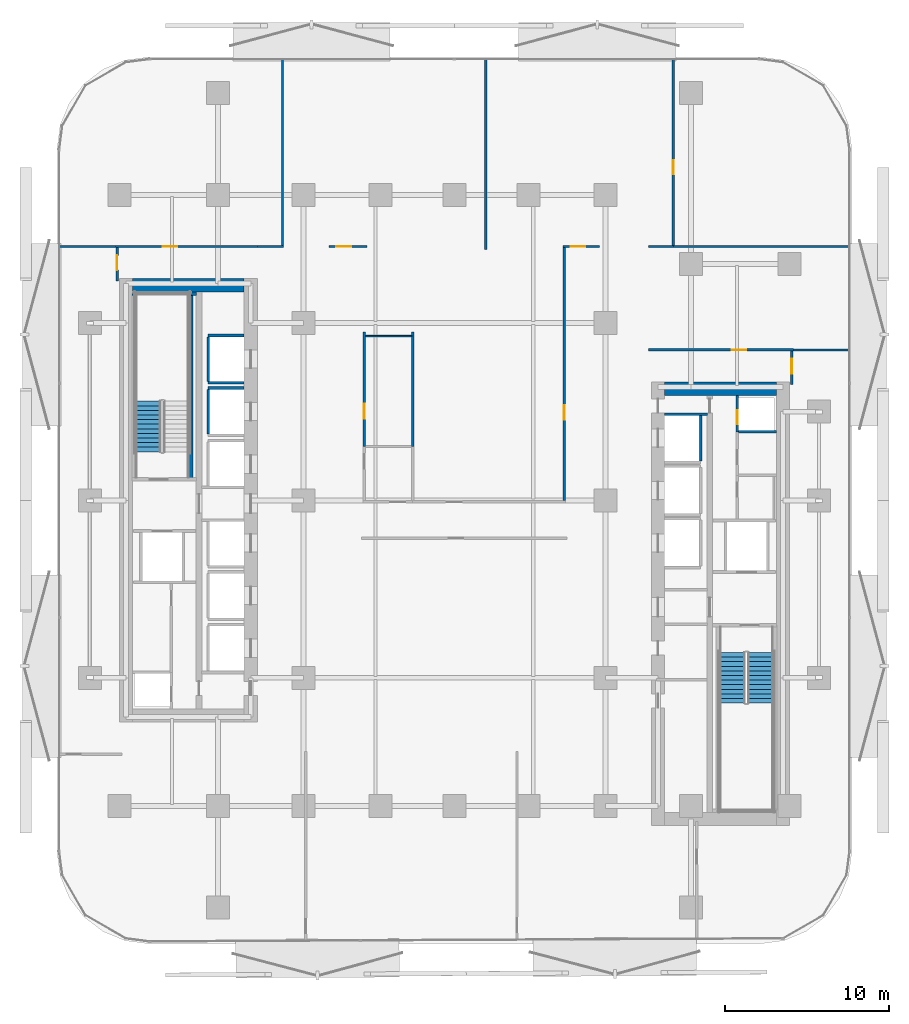
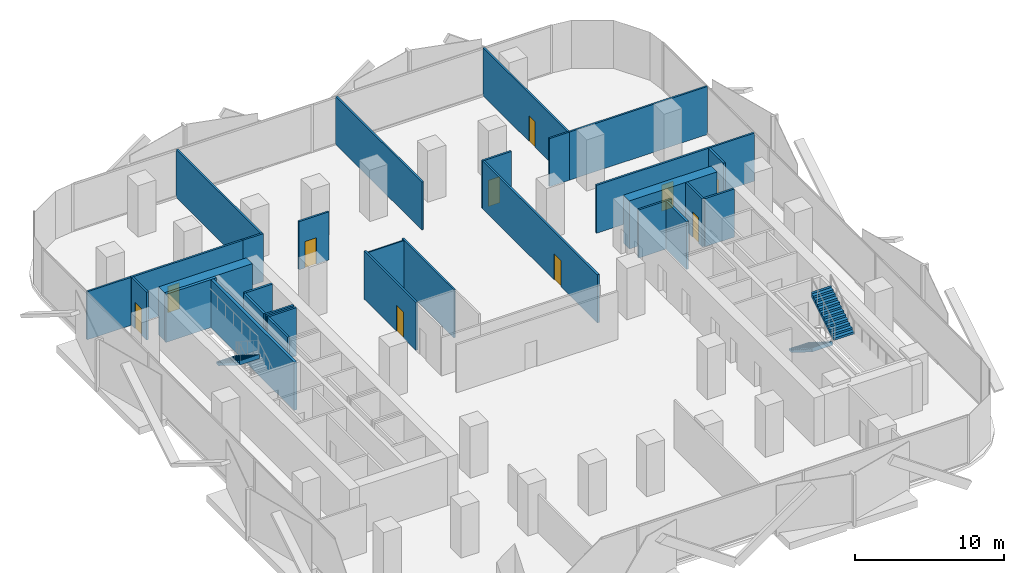
# One storey, part 5 of 15: 31 walls, 10 doors, 3 stair flights, 10 openings, 2 elements without a shape of their own.
"""IFC4 building model written with IfcOpenShell, lengths in metres."""

import ifcopenshell
import ifcopenshell.guid

model = None  # the IFC model being written
_history = None  # IfcOwnerHistory: only IFC2X3 demands one
_inside = {}  # id of a spatial element -> (the spatial element, [elements in it])
_under = {}  # id of a project, library or spatial element -> (it, [spatial elements below it])
_declared = {}  # id of a project -> (the project, [libraries it declares])
_typed = {}  # id of a type object -> (the type object, [elements of that type])
_made_of = {}  # id of a material, layer set ... -> (it, [elements and type objects made of it])


def new_model(schema):
    """Start an empty IFC model of exactly this schema.

    Asked for "IFC4X3", IfcOpenShell would pick the latest addendum, in which some entities
    have other attributes; the version numbers below select the first issue.
    IFC2X3 requires an IfcOwnerHistory on every rooted entity: one is made here for all.
    """
    global model, _history
    if schema == "IFC4X3":
        model = ifcopenshell.file(schema_version=(4, 3, 0, 0))
    else:
        model = ifcopenshell.file(schema=schema)
    _inside.clear()
    _under.clear()
    _declared.clear()
    _typed.clear()
    _made_of.clear()
    _history = None
    if model.schema == "IFC2X3":
        org = make("IfcOrganization", Name="unknown")
        user = make(
            "IfcPersonAndOrganization",
            ThePerson=make("IfcPerson", FamilyName="unknown"),
            TheOrganization=org,
        )
        app = make(
            "IfcApplication",
            ApplicationDeveloper=org,
            Version="unknown",
            ApplicationFullName="unknown",
            ApplicationIdentifier="unknown",
        )
        _history = make(
            "IfcOwnerHistory",
            OwningUser=user,
            OwningApplication=app,
            ChangeAction="ADDED",
            CreationDate=0,
        )
    return model


def make(cls, **values):
    """One entity of the class cls with the attributes given. An attribute that is None is left unset."""
    return model.create_entity(
        cls, **{name: value for name, value in values.items() if value is not None}
    )


def rooted(cls, **values):
    """An entity with a GlobalId (a new one), such as an element, a storey or a relation."""
    return make(cls, GlobalId=ifcopenshell.guid.new(), OwnerHistory=_history, **values)


def si_unit(unit_type, name, prefix=None):
    """IfcSIUnit, for example si_unit("LENGTHUNIT", "METRE", prefix="MILLI")."""
    return make("IfcSIUnit", UnitType=unit_type, Prefix=prefix, Name=name)


def assignment(units):
    """IfcUnitAssignment: the units of a project."""
    return None if units is None else make("IfcUnitAssignment", Units=units)


def point(xyz):
    """IfcCartesianPoint."""
    return None if xyz is None else make("IfcCartesianPoint", Coordinates=xyz)


def direction(xyz):
    """IfcDirection."""
    return None if xyz is None else make("IfcDirection", DirectionRatios=xyz)


def frame(location, z_axis=None, x_axis=None):
    """IfcAxis2Placement3D, a coordinate frame: its origin and axes. An axis left out is left unset."""
    return make(
        "IfcAxis2Placement3D",
        Location=point(location),
        Axis=direction(z_axis),
        RefDirection=direction(x_axis),
    )


def frame_2d(location, x_axis=None):
    """IfcAxis2Placement2D, a coordinate frame in the plane: its origin and x axis."""
    return make(
        "IfcAxis2Placement2D", Location=point(location), RefDirection=direction(x_axis)
    )


def origin():
    """The frame at (0, 0, 0) with its axes left unset."""
    return frame((0.0, 0.0, 0.0))


def place(relative_to, where):
    """IfcLocalPlacement: puts the frame where relative to a parent placement (None: the world)."""
    return make(
        "IfcLocalPlacement", PlacementRelTo=relative_to, RelativePlacement=where
    )


def context(
    kind, dimensions, precision=None, world=None, true_north=None, identifier=None
):
    """IfcGeometricRepresentationContext, for example the 3D "Model" context."""
    return make(
        "IfcGeometricRepresentationContext",
        ContextIdentifier=identifier,
        ContextType=kind,
        CoordinateSpaceDimension=dimensions,
        Precision=precision,
        WorldCoordinateSystem=world,
        TrueNorth=true_north,
    )


def subcontext(parent, identifier, kind, view, scale=None):
    """IfcGeometricRepresentationSubContext, for example "Body" below "Model"."""
    return make(
        "IfcGeometricRepresentationSubContext",
        ContextIdentifier=identifier,
        ContextType=kind,
        ParentContext=parent,
        TargetScale=scale,
        TargetView=view,
    )


def project(units=None, contexts=None):
    """IfcProject with its units and contexts."""
    return rooted(
        "IfcProject",
        Name="project",
        RepresentationContexts=contexts,
        UnitsInContext=assignment(units),
    )


def spatial(cls, under=None, at=None, **own):
    """A site, building, storey or space (cls), placed at a placement, below another one or the project."""
    s = rooted(cls, ObjectPlacement=at, **own)
    if under is not None:
        _under.setdefault(under.id(), (under, []))[1].append(s)
    return s


def polyline(points):
    """IfcPolyline through the points."""
    return make("IfcPolyline", Points=[point(p) for p in points])


def profile(cls, at=None, kind="AREA", **sizes):
    """A parametric profile (cls). Its sizes go by their IFC names, for example OverallWidth=200.0."""
    return make(cls, ProfileType=kind, Position=at, **sizes)


def rectangle(**sizes):
    """IfcRectangleProfileDef."""
    return profile("IfcRectangleProfileDef", **sizes)


def outline(outer, holes=None, kind="AREA"):
    """IfcArbitraryClosedProfileDef: a profile drawn as a closed curve; with holes, ...WithVoids."""
    if holes is None:
        return make("IfcArbitraryClosedProfileDef", ProfileType=kind, OuterCurve=outer)
    return make(
        "IfcArbitraryProfileDefWithVoids",
        ProfileType=kind,
        OuterCurve=outer,
        InnerCurves=holes,
    )


def extrude(swept, where, along, depth):
    """IfcExtrudedAreaSolid: the profile swept, set in the frame where, extruded along a direction by depth."""
    return make(
        "IfcExtrudedAreaSolid",
        SweptArea=swept,
        Position=where,
        ExtrudedDirection=direction(along),
        Depth=depth,
    )


def shape(context_of_items, identifier, shape_type, items):
    """IfcShapeRepresentation: the items that make up one representation, for example the "Body"."""
    return make(
        "IfcShapeRepresentation",
        ContextOfItems=context_of_items,
        RepresentationIdentifier=identifier,
        RepresentationType=shape_type,
        Items=items,
    )


def material(Name=None, Category=None):
    """IfcMaterial."""
    return make("IfcMaterial", Name=Name, Category=Category)


def layer(
    of_material, thickness, ventilated=None, Name=None, Category=None, Priority=None
):
    """IfcMaterialLayer: one layer of a wall or slab, of a material (None: an air gap)."""
    return make(
        "IfcMaterialLayer",
        Material=of_material,
        LayerThickness=thickness,
        IsVentilated=ventilated,
        Name=Name,
        Category=Category,
        Priority=Priority,
    )


def layer_set(layers, Name=None):
    """IfcMaterialLayerSet."""
    return make("IfcMaterialLayerSet", MaterialLayers=layers, LayerSetName=Name)


def made_of(thing, what):
    """Note that an element or type object is made of a material, layer set ...; save() writes the relation."""
    if what is not None:
        _made_of.setdefault(what.id(), (what, []))[1].append(thing)
    return thing


def type_object(cls, material=None, **own):
    """A type object (cls), such as IfcWallType, which elements share."""
    return made_of(rooted(cls, **own), material)


def element(
    cls,
    number,
    at=None,
    inside=None,
    cuts=None,
    type_object=None,
    material=None,
    context=None,
    identifier="Body",
    shape_type=None,
    held_by="IfcProductDefinitionShape",
    body=None,
    shapes=None,
    **own,
):
    """One element of the class cls, such as IfcWall. Its Tag is "e" and its number.

    at: its placement. inside: the storey or other place that contains it. cuts: it is an
    opening in that element (IfcRelVoidsElement). A single representation is given by context,
    identifier, shape_type and body (its items); several are given by shapes. held_by: the class
    of the entity that holds the representations. save() writes the other relations.
    """
    e = rooted(cls, Tag="e%d" % number, ObjectPlacement=at, **own)
    if body is not None:
        shapes = [shape(context, identifier, shape_type, body)]
    if shapes is not None:
        e.Representation = make(held_by, Representations=shapes)
    if inside is not None:
        _inside.setdefault(inside.id(), (inside, []))[1].append(e)
    if cuts is not None:
        rooted(
            "IfcRelVoidsElement", RelatingBuildingElement=cuts, RelatedOpeningElement=e
        )
    if type_object is not None:
        _typed.setdefault(type_object.id(), (type_object, []))[1].append(e)
    return made_of(e, material)


def fill(opening, filler):
    """IfcRelFillsElement: the door or window that sits in an opening."""
    return rooted(
        "IfcRelFillsElement",
        RelatingOpeningElement=opening,
        RelatedBuildingElement=filler,
    )


def aggregate(whole, parts):
    """IfcRelAggregates: a whole, such as a stair, and the parts it consists of."""
    return rooted("IfcRelAggregates", RelatingObject=whole, RelatedObjects=parts)


def save(model, path):
    """Write the relations noted so far, then the file.

    IfcRelAggregates (storeys below a building ...), IfcRelContainedInSpatialStructure (elements
    in a storey), IfcRelDefinesByType, IfcRelAssociatesMaterial and IfcRelDeclares: one each for
    every whole, place, type object, material and project.
    """
    for whole, parts in _under.values():
        aggregate(whole, parts)
    for where, things in _inside.values():
        rooted(
            "IfcRelContainedInSpatialStructure",
            RelatedElements=things,
            RelatingStructure=where,
        )
    for kind, things in _typed.values():
        rooted("IfcRelDefinesByType", RelatedObjects=things, RelatingType=kind)
    for what, things in _made_of.values():
        rooted("IfcRelAssociatesMaterial", RelatedObjects=things, RelatingMaterial=what)
    for by, libraries in _declared.values():
        rooted("IfcRelDeclares", RelatingContext=by, RelatedDefinitions=libraries)
    model.write(path)


model = new_model("IFC4")

# Units and contexts
model_context = context("Model", 3, precision=1e-05, world=origin(), true_north=direction((0.0, 1.0)))
body_context = subcontext(model_context, "Body", "Model", "MODEL_VIEW")
ifc_project = project(units=[si_unit("LENGTHUNIT", "METRE"), si_unit("AREAUNIT", "SQUARE_METRE"), si_unit("VOLUMEUNIT", "CUBIC_METRE"), si_unit("PLANEANGLEUNIT", "RADIAN"), si_unit("MASSUNIT", "GRAM", prefix="KILO")], contexts=[model_context])

# Site, building, storey
site_placement = place(None, origin())
site = spatial("IfcSite", under=ifc_project, at=site_placement, CompositionType="ELEMENT")
building_placement = place(site_placement, origin())
building = spatial("IfcBuilding", under=site, at=building_placement, Name="Khairoan Windgate Tower", CompositionType="ELEMENT")
storey_placement = place(building_placement, frame((0.0, 0.0, 51.199951171875)))
storey = spatial("IfcBuildingStorey", under=building, at=storey_placement, Name="L12", CompositionType="ELEMENT", Elevation=51.199951171875)

# Walls
ifc_material_1 = material(Name="Moisture-Resistant Gypsum Partition", Category="gypsum")
ifc_layer_1 = layer(ifc_material_1, 0.10009765625, Name="Moisture-Resistant Gypsum Partition")
ifc_layer_set_1 = layer_set([ifc_layer_1], Name="Moisture-Resistant Gypsum Partition")
wall_type_1 = type_object("IfcWallType", Name="Bathroom Wet-Area Partition Wall", PredefinedType="PARTITIONING", material=ifc_layer_set_1)
wall_1_placement = place(storey_placement, frame((-5.409912109375, 10.0, 0.0), z_axis=(0.0, 0.0, 1.0), x_axis=(1.0, 0.0, 0.0)))
element("IfcWall", 1, at=wall_1_placement, inside=storey, type_object=wall_type_1, Name="L12 Wet Room Side Wall 038", PredefinedType="PARTITIONING", context=body_context, shape_type="SweptSolid", body=[
    extrude(rectangle(XDim=2.7998046875, YDim=0.10009765625, at=frame_2d((1.39990234375, 0.0))), origin(), (0.0, 0.0, 1.0), 3.93994140625),
])
ifc_material_2 = material(Name="Concrete C40/50", Category="concrete")
ifc_layer_2 = layer(ifc_material_2, 0.159912109375, Name="Concrete C40/50")
ifc_layer_set_2 = layer_set([ifc_layer_2], Name="Concrete C40/50")
wall_type_2 = type_object("IfcWallType", Name="Core and Hoistway Enclosure Wall", PredefinedType="STANDARD", material=ifc_layer_set_2)
for number, where, z_axis, x_axis, name in (
    (2, (-14.989990234375, 7.159912109375, 0.0), (0.0, 0.0, 1.0), (1.0, 0.0, 0.0), "L12 Lift PL1 Hoistway Divider S"),
    (3, (-14.989990234375, 10.0400390625, 0.0), (0.0, 0.0, 1.0), (1.0, 0.0, 0.0), "L12 Lift PL1 Hoistway Divider N"),
):
    element("IfcWall", number, at=place(storey_placement, frame(where, z_axis=z_axis, x_axis=x_axis)), inside=storey, type_object=wall_type_2, Name=name, PredefinedType="STANDARD", context=body_context, shape_type="SweptSolid", body=[
        extrude(rectangle(XDim=2.18994140625, YDim=0.159912109375, at=frame_2d((1.094970703125, 0.0))), origin(), (0.0, 0.0, 1.0), 3.93994140625),
    ])
wall_2_placement = place(storey_placement, frame((-14.989990234375, 7.25, 0.0), z_axis=(0.0, 0.0, 1.0), x_axis=(0.0, 1.0, 0.0)))
element("IfcWall", 4, at=wall_2_placement, inside=storey, type_object=wall_type_2, Name="L12 Lift PL1 Hoistway Back Wall", PredefinedType="STANDARD", context=body_context, shape_type="SweptSolid", body=[
    extrude(rectangle(XDim=2.699951171875, YDim=0.159912109375, at=frame_2d((1.35009765625, 0.0))), origin(), (0.0, 0.0, 1.0), 3.93994140625),
])
wall_3_placement = place(storey_placement, frame((-14.989990234375, 6.840087890625, 0.0), z_axis=(0.0, 0.0, 1.0), x_axis=(1.0, 0.0, 0.0)))
element("IfcWall", 5, at=wall_3_placement, inside=storey, type_object=wall_type_2, Name="L12 Lift PL2 Hoistway Divider N", PredefinedType="STANDARD", context=body_context, shape_type="SweptSolid", body=[
    extrude(rectangle(XDim=2.18994140625, YDim=0.159912109375, at=frame_2d((1.094970703125, 0.0))), origin(), (0.0, 0.0, 1.0), 3.93994140625),
])
wall_4_placement = place(storey_placement, frame((-14.989990234375, 4.050048828125, 0.0), z_axis=(0.0, 0.0, 1.0), x_axis=(0.0, 1.0, 0.0)))
element("IfcWall", 6, at=wall_4_placement, inside=storey, type_object=wall_type_2, Name="L12 Lift PL2 Hoistway Back Wall", PredefinedType="STANDARD", context=body_context, shape_type="SweptSolid", body=[
    extrude(rectangle(XDim=2.699951171875, YDim=0.159912109375, at=frame_2d((1.35009765625, 0.0))), origin(), (0.0, 0.0, 1.0), 3.93994140625),
])
wall_5_placement = place(storey_placement, frame((14.989990234375, 2.39990234375, 0.0), z_axis=(0.0, 0.0, 1.0), x_axis=(0.0, 1.0, 0.0)))
element("IfcWall", 7, at=wall_5_placement, inside=storey, type_object=wall_type_2, Name="L12 Lift PL7 Hoistway Back Wall", PredefinedType="STANDARD", context=body_context, shape_type="SweptSolid", body=[
    extrude(rectangle(XDim=2.800048828125, YDim=0.159912109375, at=frame_2d((1.39990234375, 0.0))), origin(), (0.0, 0.0, 1.0), 3.93994140625),
])
wall_6_placement = place(storey_placement, frame((12.800048828125, 5.25, 0.0), z_axis=(0.0, 0.0, 1.0), x_axis=(1.0, 0.0, 0.0)))
element("IfcWall", 8, at=wall_6_placement, inside=storey, type_object=wall_type_2, Name="L12 Core Shaft Wall SW-ESV-L12", PredefinedType="STANDARD", context=body_context, shape_type="SweptSolid", body=[
    extrude(rectangle(XDim=2.599853515625, YDim=0.159912109375, at=frame_2d((1.2998046875, 0.0))), origin(), (0.0, 0.0, 1.0), 3.93994140625),
])
ifc_material_3 = material(Name="Acoustic Fire-Rated Gypsum Partition", Category="gypsum")
ifc_layer_3 = layer(ifc_material_3, 0.139892578125, Name="Acoustic Fire-Rated Gypsum Partition")
ifc_layer_set_3 = layer_set([ifc_layer_3], Name="Acoustic Fire-Rated Gypsum Partition")
wall_type_3 = type_object("IfcWallType", Name="Inter-Tenancy Compartment Wall", PredefinedType="PARTITIONING", material=ifc_layer_set_3)
for number, where, z_axis, x_axis, name in (
    (9, (-24.054931640625, 15.4599609375, 0.0), (0.0, 0.0, 1.0), (1.0, 0.0, 0.0), "L12 Interior Partition 023"),
    (10, (20.639892578125, 9.159912109375, 0.0), (0.0, 0.0, 1.0), (1.0, 0.0, 0.0), "L12 Interior Partition 025"),
):
    element("IfcWall", number, at=place(storey_placement, frame(where, z_axis=z_axis, x_axis=x_axis)), inside=storey, type_object=wall_type_3, Name=name, PredefinedType="PARTITIONING", context=body_context, shape_type="SweptSolid", body=[
        extrude(rectangle(XDim=3.4150390625, YDim=0.139892578125, at=frame_2d((1.70751953125, 0.0))), origin(), (0.0, 0.0, 1.0), 3.93994140625),
    ])
wall_7_placement = place(storey_placement, frame((11.81005859375, 15.4599609375, 0.0), z_axis=(0.0, 0.0, 1.0), x_axis=(1.0, 0.0, 0.0)))
element("IfcWall", 11, at=wall_7_placement, inside=storey, type_object=wall_type_3, Name="L12 Interior Partition 026", PredefinedType="PARTITIONING", context=body_context, shape_type="SweptSolid", body=[
    extrude(rectangle(XDim=1.517822265625, YDim=0.139892578125, at=frame_2d((0.7587890625, 0.0))), origin(), (0.0, 0.0, 1.0), 3.93994140625),
])
wall_8_placement = place(storey_placement, frame((13.327880859375, 15.4599609375, 0.0), z_axis=(0.0, 0.0, 1.0), x_axis=(1.0, 0.0, 0.0)))
element("IfcWall", 12, at=wall_8_placement, inside=storey, type_object=wall_type_3, Name="L12 Interior Partition 027", PredefinedType="PARTITIONING", context=body_context, shape_type="SweptSolid", body=[
    extrude(rectangle(XDim=10.72705078125, YDim=0.139892578125, at=frame_2d((5.363525390625, 0.0))), origin(), (0.0, 0.0, 1.0), 3.93994140625),
])
wall_9_placement = place(storey_placement, frame((-10.471923828125, 15.534912109375, 0.0), z_axis=(0.0, 0.0, 1.0), x_axis=(0.0, 1.0, 0.0)))
element("IfcWall", 13, at=wall_9_placement, inside=storey, type_object=wall_type_3, Name="L12 Interior Partition 028", PredefinedType="PARTITIONING", context=body_context, shape_type="SweptSolid", body=[
    extrude(rectangle(XDim=11.320068359375, YDim=0.139892578125, at=frame_2d((5.66015625, 0.0))), origin(), (0.0, 0.0, 1.0), 3.93994140625),
])
wall_10_placement = place(storey_placement, frame((1.904052734375, 15.280029296875, 0.0), z_axis=(0.0, 0.0, 1.0), x_axis=(0.0, 1.0, 0.0)))
element("IfcWall", 14, at=wall_10_placement, inside=storey, type_object=wall_type_3, Name="L12 Interior Partition 029", PredefinedType="PARTITIONING", context=body_context, shape_type="SweptSolid", body=[
    extrude(rectangle(XDim=11.574951171875, YDim=0.139892578125, at=frame_2d((5.78759765625, 0.0))), origin(), (0.0, 0.0, 1.0), 3.93994140625),
])

# Wall, opening, door
wall_11_placement = place(storey_placement, frame((13.327880859375, 15.530029296875, 0.0), z_axis=(0.0, 0.0, 1.0), x_axis=(0.0, 1.0, 0.0)))
wall_11 = element("IfcWall", 15, at=wall_11_placement, inside=storey, type_object=wall_type_3, Name="L12 Interior Partition 030", PredefinedType="PARTITIONING", context=body_context, shape_type="SweptSolid", body=[
    extrude(rectangle(XDim=11.324951171875, YDim=0.139892578125, at=frame_2d((5.66259765625, 0.0))), origin(), (0.0, 0.0, 1.0), 3.93994140625),
])
opening_1_placement = place(wall_11_placement, frame((4.32275390625, 0.0, 0.0)))
opening_1 = element("IfcOpeningElement", 16, at=opening_1_placement, cuts=wall_11, Name="Opening FD-SRV", PredefinedType="OPENING", context=body_context, shape_type="SweptSolid", body=[
    extrude(rectangle(XDim=0.85009765625, YDim=2.10009765625, at=frame_2d((0.425048828125, 1.050048828125))), frame((0.0, 0.079833984375, 0.0), z_axis=(0.0, -1.0, 0.0), x_axis=(1.0, 0.0, 0.0)), (0.0, 0.0, 1.0), 0.159912109375),
])
ifc_material_4 = material(Name="Steel S355", Category="steel")
door_type_1 = type_object("IfcDoorType", Name="Core Service and Riser Fire Door FD-SRV 850x2100", OperationType="NOTDEFINED", PredefinedType="DOOR", material=ifc_material_4)
door_1_placement = place(opening_1_placement, origin())
door_1 = element("IfcDoor", 17, at=door_1_placement, inside=storey, type_object=door_type_1, Name="L12 L12-41-L12-42 Door", OperationType="SINGLE_SWING_RIGHT", OverallHeight=2.10009765625, OverallWidth=0.85009765625, PredefinedType="DOOR", context=body_context, shape_type="SweptSolid", body=[
    extrude(rectangle(XDim=0.85009765625, YDim=2.10009765625, at=frame_2d((0.425048828125, 1.050048828125))), frame((0.0, 0.02490234375, 0.0), z_axis=(0.0, -1.0, 0.0), x_axis=(1.0, 0.0, 0.0)), (0.0, 0.0, 1.0), 0.050048828125),
])
fill(opening_1, door_1)

# Wall
wall_12_placement = place(storey_placement, frame((-2.5400390625, 3.280029296875, 0.0), z_axis=(0.0, 0.0, 1.0), x_axis=(0.0, 1.0, 0.0)))
element("IfcWall", 18, at=wall_12_placement, inside=storey, type_object=wall_type_3, Name="L12 Interior Partition 036", PredefinedType="PARTITIONING", context=body_context, shape_type="SweptSolid", body=[
    extrude(rectangle(XDim=6.9599609375, YDim=0.139892578125, at=frame_2d((3.47998046875, 0.0))), origin(), (0.0, 0.0, 1.0), 3.93994140625),
])

# Wall, opening, door
ifc_material_5 = material(Name="Concrete C40/50", Category="concrete")
ifc_layer_4 = layer(ifc_material_5, 0.159912109375, Name="Concrete C40/50")
ifc_layer_set_4 = layer_set([ifc_layer_4], Name="Concrete C40/50")
wall_type_4 = type_object("IfcWallType", Name="Plant and Refuge Compartment Wall", PredefinedType="PARTITIONING", material=ifc_layer_set_4)
wall_13_placement = place(storey_placement, frame((17.22998046875, 4.169921875, 0.0), z_axis=(0.0, 0.0, 1.0), x_axis=(0.0, 1.0, 0.0)))
wall_13 = element("IfcWall", 19, at=wall_13_placement, inside=storey, type_object=wall_type_4, Name="L12 Interior Partition 004", PredefinedType="PARTITIONING", context=body_context, shape_type="SweptSolid", body=[
    extrude(rectangle(XDim=2.22998046875, YDim=0.159912109375, at=frame_2d((1.114990234375, 0.0))), origin(), (0.0, 0.0, 1.0), 3.93994140625),
])
opening_2_placement = place(wall_13_placement, frame((0.4599609375, 0.0, 0.0)))
opening_2 = element("IfcOpeningElement", 20, at=opening_2_placement, cuts=wall_13, Name="Opening FD-SRV", PredefinedType="OPENING", context=body_context, shape_type="SweptSolid", body=[
    extrude(rectangle(XDim=0.85009765625, YDim=2.10009765625, at=frame_2d((0.425048828125, 1.050048828125))), frame((0.0, 0.08984375, 0.0), z_axis=(0.0, -1.0, 0.0), x_axis=(1.0, 0.0, 0.0)), (0.0, 0.0, 1.0), 0.179931640625),
])
door_2_placement = place(opening_2_placement, origin())
door_2 = element("IfcDoor", 21, at=door_2_placement, inside=storey, type_object=door_type_1, Name="L12 L12-18-L12-19 Door", OperationType="SINGLE_SWING_RIGHT", OverallHeight=2.10009765625, OverallWidth=0.85009765625, PredefinedType="DOOR", context=body_context, shape_type="SweptSolid", body=[
    extrude(rectangle(XDim=0.85009765625, YDim=2.10009765625, at=frame_2d((0.425048828125, 1.050048828125))), frame((0.0, 0.02490234375, 0.0), z_axis=(0.0, -1.0, 0.0), x_axis=(1.0, 0.0, 0.0)), (0.0, 0.0, 1.0), 0.050048828125),
])
fill(opening_2, door_2)

# Walls
wall_14_placement = place(storey_placement, frame((17.31005859375, 4.169921875, 0.0), z_axis=(0.0, 0.0, 1.0), x_axis=(1.0, 0.0, 0.0)))
element("IfcWall", 22, at=wall_14_placement, inside=storey, type_object=wall_type_4, Name="L12 Interior Partition 007", PredefinedType="PARTITIONING", context=body_context, shape_type="SweptSolid", body=[
    extrude(rectangle(XDim=2.2900390625, YDim=0.159912109375, at=frame_2d((1.14501953125, 0.0))), origin(), (0.0, 0.0, 1.0), 3.93994140625),
])
ifc_material_6 = material(Name="Acoustic Fire-Rated Gypsum Partition", Category="gypsum")
ifc_layer_5 = layer(ifc_material_6, 0.14990234375, Name="Acoustic Fire-Rated Gypsum Partition")
ifc_layer_set_5 = layer_set([ifc_layer_5], Name="Acoustic Fire-Rated Gypsum Partition")
wall_type_5 = type_object("IfcWallType", Name="Rated Corridor Partition Wall", PredefinedType="PARTITIONING", material=ifc_layer_set_5)
wall_15_placement = place(storey_placement, frame((-11.989990234375, 15.4599609375, 0.0), z_axis=(0.0, 0.0, 1.0), x_axis=(1.0, 0.0, 0.0)))
element("IfcWall", 23, at=wall_15_placement, inside=storey, type_object=wall_type_5, Name="L12 Interior Partition 010", PredefinedType="PARTITIONING", context=body_context, shape_type="SweptSolid", body=[
    extrude(rectangle(XDim=1.587890625, YDim=0.14990234375, at=frame_2d((0.7939453125, 0.0))), origin(), (0.0, 0.0, 1.0), 3.93994140625),
])

# Wall, opening, door
wall_16_placement = place(storey_placement, frame((-7.639892578125, 15.4599609375, 0.0), z_axis=(0.0, 0.0, 1.0), x_axis=(1.0, 0.0, 0.0)))
wall_16 = element("IfcWall", 24, at=wall_16_placement, inside=storey, type_object=wall_type_5, Name="L12 Interior Partition 014", PredefinedType="PARTITIONING", context=body_context, shape_type="SweptSolid", body=[
    extrude(rectangle(XDim=2.329833984375, YDim=0.14990234375, at=frame_2d((1.1650390625, 0.0))), origin(), (0.0, 0.0, 1.0), 3.93994140625),
])
opening_3_placement = place(wall_16_placement, frame((0.4599609375, 0.0, 0.0)))
opening_3 = element("IfcOpeningElement", 25, at=opening_3_placement, cuts=wall_16, Name="Opening FD-ENT", PredefinedType="OPENING", context=body_context, shape_type="SweptSolid", body=[
    extrude(rectangle(XDim=0.89990234375, YDim=2.14990234375, at=frame_2d((0.449951171875, 1.074951171875))), frame((0.0, 0.0849609375, 0.0), z_axis=(0.0, -1.0, 0.0), x_axis=(1.0, 0.0, 0.0)), (0.0, 0.0, 1.0), 0.169921875),
])
ifc_material_7 = material(Name="Timber Fire-Rated Core", Category="wood")
door_type_2 = type_object("IfcDoorType", Name="Unit and Office Fire Entrance Door FD-ENT 900x2150", OperationType="NOTDEFINED", PredefinedType="DOOR", material=ifc_material_7)
door_3_placement = place(opening_3_placement, origin())
door_3 = element("IfcDoor", 26, at=door_3_placement, inside=storey, type_object=door_type_2, Name="L12 L12-32-L12-40 Door", OperationType="SINGLE_SWING_LEFT", OverallHeight=2.14990234375, OverallWidth=0.89990234375, PredefinedType="DOOR", context=body_context, shape_type="SweptSolid", body=[
    extrude(rectangle(XDim=0.89990234375, YDim=2.14990234375, at=frame_2d((0.449951171875, 1.074951171875))), frame((0.0, 0.02490234375, 0.0), z_axis=(0.0, -1.0, 0.0), x_axis=(1.0, 0.0, 0.0)), (0.0, 0.0, 1.0), 0.050048828125),
])
fill(opening_3, door_3)

wall_17_placement = place(storey_placement, frame((-5.485107421875, 3.280029296875, 0.0), z_axis=(0.0, 0.0, 1.0), x_axis=(0.0, 1.0, 0.0)))
wall_17 = element("IfcWall", 27, at=wall_17_placement, inside=storey, type_object=wall_type_5, Name="L12 Interior Partition 016", PredefinedType="PARTITIONING", context=body_context, shape_type="SweptSolid", body=[
    extrude(rectangle(XDim=6.9599609375, YDim=0.14990234375, at=frame_2d((3.47998046875, 0.0))), origin(), (0.0, 0.0, 1.0), 3.93994140625),
])
opening_4_placement = place(wall_17_placement, frame((1.693603515625, 0.0, 0.0)))
opening_4 = element("IfcOpeningElement", 28, at=opening_4_placement, cuts=wall_17, Name="Opening FD-ENT", PredefinedType="OPENING", context=body_context, shape_type="SweptSolid", body=[
    extrude(rectangle(XDim=0.89990234375, YDim=2.14990234375, at=frame_2d((0.449951171875, 1.074951171875))), frame((0.0, 0.0849609375, 0.0), z_axis=(0.0, -1.0, 0.0), x_axis=(1.0, 0.0, 0.0)), (0.0, 0.0, 1.0), 0.169921875),
])
door_4_placement = place(opening_4_placement, origin())
door_4 = element("IfcDoor", 29, at=door_4_placement, inside=storey, type_object=door_type_2, Name="L12 L12-32-L12-48 Door", OperationType="SINGLE_SWING_LEFT", OverallHeight=2.14990234375, OverallWidth=0.89990234375, PredefinedType="DOOR", context=body_context, shape_type="SweptSolid", body=[
    extrude(rectangle(XDim=0.89990234375, YDim=2.14990234375, at=frame_2d((0.449951171875, 1.074951171875))), frame((0.0, 0.02490234375, 0.0), z_axis=(0.0, -1.0, 0.0), x_axis=(1.0, 0.0, 0.0)), (0.0, 0.0, 1.0), 0.050048828125),
])
fill(opening_4, door_4)

wall_18_placement = place(storey_placement, frame((6.610107421875, 15.4599609375, 0.0), z_axis=(0.0, 0.0, 1.0), x_axis=(1.0, 0.0, 0.0)))
wall_18 = element("IfcWall", 30, at=wall_18_placement, inside=storey, type_object=wall_type_5, Name="L12 Interior Partition 017", PredefinedType="PARTITIONING", context=body_context, shape_type="SweptSolid", body=[
    extrude(rectangle(XDim=2.22998046875, YDim=0.14990234375, at=frame_2d((1.114990234375, 0.0))), origin(), (0.0, 0.0, 1.0), 3.93994140625),
])
opening_5_placement = place(wall_18_placement, frame((0.4599609375, 0.0, 0.0)))
opening_5 = element("IfcOpeningElement", 31, at=opening_5_placement, cuts=wall_18, Name="Opening FD-ENT", PredefinedType="OPENING", context=body_context, shape_type="SweptSolid", body=[
    extrude(rectangle(XDim=0.89990234375, YDim=2.14990234375, at=frame_2d((0.449951171875, 1.074951171875))), frame((0.0, 0.0849609375, 0.0), z_axis=(0.0, -1.0, 0.0), x_axis=(1.0, 0.0, 0.0)), (0.0, 0.0, 1.0), 0.169921875),
])
door_5_placement = place(opening_5_placement, origin())
door_5 = element("IfcDoor", 32, at=door_5_placement, inside=storey, type_object=door_type_2, Name="L12 L12-33-L12-41 Door", OperationType="SINGLE_SWING_RIGHT", OverallHeight=2.14990234375, OverallWidth=0.89990234375, PredefinedType="DOOR", context=body_context, shape_type="SweptSolid", body=[
    extrude(rectangle(XDim=0.89990234375, YDim=2.14990234375, at=frame_2d((0.449951171875, 1.074951171875))), frame((0.0, 0.02490234375, 0.0), z_axis=(0.0, -1.0, 0.0), x_axis=(1.0, 0.0, 0.0)), (0.0, 0.0, 1.0), 0.050048828125),
])
fill(opening_5, door_5)

wall_19_placement = place(storey_placement, frame((6.68505859375, -0.02001953125, 0.0), z_axis=(0.0, 0.0, 1.0), x_axis=(0.0, 1.0, 0.0)))
wall_19 = element("IfcWall", 33, at=wall_19_placement, inside=storey, type_object=wall_type_5, Name="L12 Interior Partition 018", PredefinedType="PARTITIONING", context=body_context, shape_type="SweptSolid", body=[
    extrude(rectangle(XDim=15.405029296875, YDim=0.14990234375, at=frame_2d((7.70263671875, 0.0))), origin(), (0.0, 0.0, 1.0), 3.93994140625),
])
opening_6_placement = place(wall_19_placement, frame((4.920654296875, 0.0, 0.0)))
opening_6 = element("IfcOpeningElement", 34, at=opening_6_placement, cuts=wall_19, Name="Opening FD-ENT", PredefinedType="OPENING", context=body_context, shape_type="SweptSolid", body=[
    extrude(rectangle(XDim=0.89990234375, YDim=2.14990234375, at=frame_2d((0.449951171875, 1.074951171875))), frame((0.0, 0.0849609375, 0.0), z_axis=(0.0, -1.0, 0.0), x_axis=(1.0, 0.0, 0.0)), (0.0, 0.0, 1.0), 0.169921875),
])
door_6_placement = place(opening_6_placement, origin())
door_6 = element("IfcDoor", 35, at=door_6_placement, inside=storey, type_object=door_type_2, Name="L12 L12-33-L12-49 Door", OperationType="SINGLE_SWING_LEFT", OverallHeight=2.14990234375, OverallWidth=0.89990234375, PredefinedType="DOOR", context=body_context, shape_type="SweptSolid", body=[
    extrude(rectangle(XDim=0.89990234375, YDim=2.14990234375, at=frame_2d((0.449951171875, 1.074951171875))), frame((0.0, 0.02490234375, 0.0), z_axis=(0.0, -1.0, 0.0), x_axis=(1.0, 0.0, 0.0)), (0.0, 0.0, 1.0), 0.050048828125),
])
fill(opening_6, door_6)

wall_20_placement = place(storey_placement, frame((-20.5400390625, 13.360107421875, 0.0), z_axis=(0.0, 0.0, 1.0), x_axis=(0.0, 1.0, 0.0)))
wall_20 = element("IfcWall", 36, at=wall_20_placement, inside=storey, type_object=wall_type_5, Name="L12 Interior Partition 019", PredefinedType="PARTITIONING", context=body_context, shape_type="SweptSolid", body=[
    extrude(rectangle(XDim=2.02490234375, YDim=0.14990234375, at=frame_2d((1.012451171875, 0.0))), origin(), (0.0, 0.0, 1.0), 3.93994140625),
])
opening_7_placement = place(wall_20_placement, frame((0.6650390625, 0.0, 0.0)))
opening_7 = element("IfcOpeningElement", 37, at=opening_7_placement, cuts=wall_20, Name="Opening FD-ENT", PredefinedType="OPENING", context=body_context, shape_type="SweptSolid", body=[
    extrude(rectangle(XDim=0.89990234375, YDim=2.14990234375, at=frame_2d((0.449951171875, 1.074951171875))), frame((0.0, 0.0849609375, 0.0), z_axis=(0.0, -1.0, 0.0), x_axis=(1.0, 0.0, 0.0)), (0.0, 0.0, 1.0), 0.169921875),
])
door_7_placement = place(opening_7_placement, origin())
door_7 = element("IfcDoor", 38, at=door_7_placement, inside=storey, type_object=door_type_2, Name="L12 L12-34-L12-36 Door", OperationType="SINGLE_SWING_RIGHT", OverallHeight=2.14990234375, OverallWidth=0.89990234375, PredefinedType="DOOR", context=body_context, shape_type="SweptSolid", body=[
    extrude(rectangle(XDim=0.89990234375, YDim=2.14990234375, at=frame_2d((0.449951171875, 1.074951171875))), frame((0.0, 0.02490234375, 0.0), z_axis=(0.0, -1.0, 0.0), x_axis=(1.0, 0.0, 0.0)), (0.0, 0.0, 1.0), 0.050048828125),
])
fill(opening_7, door_7)

wall_21_placement = place(storey_placement, frame((-20.639892578125, 15.4599609375, 0.0), z_axis=(0.0, 0.0, 1.0), x_axis=(1.0, 0.0, 0.0)))
wall_21 = element("IfcWall", 39, at=wall_21_placement, inside=storey, type_object=wall_type_5, Name="L12 Interior Partition 020", PredefinedType="PARTITIONING", context=body_context, shape_type="SweptSolid", body=[
    extrude(rectangle(XDim=8.64990234375, YDim=0.14990234375, at=frame_2d((4.324951171875, 0.0))), origin(), (0.0, 0.0, 1.0), 3.93994140625),
])
opening_8_placement = place(wall_21_placement, frame((2.87060546875, 0.0, 0.0)))
opening_8 = element("IfcOpeningElement", 40, at=opening_8_placement, cuts=wall_21, Name="Opening FD-ENT", PredefinedType="OPENING", context=body_context, shape_type="SweptSolid", body=[
    extrude(rectangle(XDim=0.89990234375, YDim=2.14990234375, at=frame_2d((0.449951171875, 1.074951171875))), frame((0.0, 0.0849609375, 0.0), z_axis=(0.0, -1.0, 0.0), x_axis=(1.0, 0.0, 0.0)), (0.0, 0.0, 1.0), 0.169921875),
])
door_8_placement = place(opening_8_placement, origin())
door_8 = element("IfcDoor", 41, at=door_8_placement, inside=storey, type_object=door_type_2, Name="L12 L12-34-L12-39 Door", OperationType="SINGLE_SWING_LEFT", OverallHeight=2.14990234375, OverallWidth=0.89990234375, PredefinedType="DOOR", context=body_context, shape_type="SweptSolid", body=[
    extrude(rectangle(XDim=0.89990234375, YDim=2.14990234375, at=frame_2d((0.449951171875, 1.074951171875))), frame((0.0, 0.02490234375, 0.0), z_axis=(0.0, -1.0, 0.0), x_axis=(1.0, 0.0, 0.0)), (0.0, 0.0, 1.0), 0.050048828125),
])
fill(opening_8, door_8)

wall_22_placement = place(storey_placement, frame((20.5400390625, 7.06005859375, 0.0), z_axis=(0.0, 0.0, 1.0), x_axis=(0.0, 1.0, 0.0)))
wall_22 = element("IfcWall", 42, at=wall_22_placement, inside=storey, type_object=wall_type_5, Name="L12 Interior Partition 021", PredefinedType="PARTITIONING", context=body_context, shape_type="SweptSolid", body=[
    extrude(rectangle(XDim=2.02490234375, YDim=0.14990234375, at=frame_2d((1.012451171875, 0.0))), origin(), (0.0, 0.0, 1.0), 3.93994140625),
])
opening_9_placement = place(wall_22_placement, frame((0.6650390625, 0.0, 0.0)))
opening_9 = element("IfcOpeningElement", 43, at=opening_9_placement, cuts=wall_22, Name="Opening FD-ENT", PredefinedType="OPENING", context=body_context, shape_type="SweptSolid", body=[
    extrude(rectangle(XDim=0.89990234375, YDim=2.14990234375, at=frame_2d((0.449951171875, 1.074951171875))), frame((0.0, 0.0849609375, 0.0), z_axis=(0.0, -1.0, 0.0), x_axis=(1.0, 0.0, 0.0)), (0.0, 0.0, 1.0), 0.169921875),
])
door_9_placement = place(opening_9_placement, origin())
door_9 = element("IfcDoor", 44, at=door_9_placement, inside=storey, type_object=door_type_2, Name="L12 L12-35-L12-37 Door", OperationType="SINGLE_SWING_RIGHT", OverallHeight=2.14990234375, OverallWidth=0.89990234375, PredefinedType="DOOR", context=body_context, shape_type="SweptSolid", body=[
    extrude(rectangle(XDim=0.89990234375, YDim=2.14990234375, at=frame_2d((0.449951171875, 1.074951171875))), frame((0.0, 0.02490234375, 0.0), z_axis=(0.0, -1.0, 0.0), x_axis=(1.0, 0.0, 0.0)), (0.0, 0.0, 1.0), 0.050048828125),
])
fill(opening_9, door_9)

wall_23_placement = place(storey_placement, frame((11.81005859375, 9.159912109375, 0.0), z_axis=(0.0, 0.0, 1.0), x_axis=(1.0, 0.0, 0.0)))
wall_23 = element("IfcWall", 45, at=wall_23_placement, inside=storey, type_object=wall_type_5, Name="L12 Interior Partition 022", PredefinedType="PARTITIONING", context=body_context, shape_type="SweptSolid", body=[
    extrude(rectangle(XDim=8.829833984375, YDim=0.14990234375, at=frame_2d((4.4150390625, 0.0))), origin(), (0.0, 0.0, 1.0), 3.93994140625),
])
opening_10_placement = place(wall_23_placement, frame((5.066650390625, 0.0, 0.0)))
opening_10 = element("IfcOpeningElement", 46, at=opening_10_placement, cuts=wall_23, Name="Opening FD-ENT", PredefinedType="OPENING", context=body_context, shape_type="SweptSolid", body=[
    extrude(rectangle(XDim=0.89990234375, YDim=2.14990234375, at=frame_2d((0.449951171875, 1.074951171875))), frame((0.0, 0.0849609375, 0.0), z_axis=(0.0, -1.0, 0.0), x_axis=(1.0, 0.0, 0.0)), (0.0, 0.0, 1.0), 0.169921875),
])
door_10_placement = place(opening_10_placement, origin())
door_10 = element("IfcDoor", 47, at=door_10_placement, inside=storey, type_object=door_type_2, Name="L12 L12-35-L12-38 Door", OperationType="SINGLE_SWING_LEFT", OverallHeight=2.14990234375, OverallWidth=0.89990234375, PredefinedType="DOOR", context=body_context, shape_type="SweptSolid", body=[
    extrude(rectangle(XDim=0.89990234375, YDim=2.14990234375, at=frame_2d((0.449951171875, 1.074951171875))), frame((0.0, 0.02490234375, 0.0), z_axis=(0.0, -1.0, 0.0), x_axis=(1.0, 0.0, 0.0)), (0.0, 0.0, 1.0), 0.050048828125),
])
fill(opening_10, door_10)

# Walls
ifc_material_8 = material(Name="Concrete C70/85", Category="concrete")
ifc_layer_6 = layer(ifc_material_8, 0.800048828125, Name="Concrete C70/85")
ifc_layer_set_6 = layer_set([ifc_layer_6], Name="Concrete C70/85")
wall_type_6 = type_object("IfcWallType", Name="Shear Wall CW-E1 800mm", PredefinedType="SHEAR", material=ifc_layer_set_6)
wall_24_placement = place(storey_placement, frame((12.800048828125, 6.800048828125, 0.0), z_axis=(0.0, 0.0, 1.0), x_axis=(1.0, 0.0, 0.0)))
element("IfcWall", 48, at=wall_24_placement, inside=storey, type_object=wall_type_6, Name="E Core North Shear Wall L12", PredefinedType="SHEAR", context=body_context, shape_type="SweptSolid", body=[
    extrude(rectangle(XDim=6.800048828125, YDim=0.800048828125, at=frame_2d((3.39990234375, 0.0))), origin(), (0.0, 0.0, 1.0), 3.93994140625),
])
ifc_material_9 = material(Name="Concrete C70/85", Category="concrete")
ifc_layer_7 = layer(ifc_material_9, 0.800048828125, Name="Concrete C70/85")
ifc_layer_set_7 = layer_set([ifc_layer_7], Name="Concrete C70/85")
wall_type_7 = type_object("IfcWallType", Name="Shear Wall CW-W1 800mm", PredefinedType="SHEAR", material=ifc_layer_set_7)
wall_25_placement = place(storey_placement, frame((-19.60009765625, 13.10009765625, 0.0), z_axis=(0.0, 0.0, 1.0), x_axis=(1.0, 0.0, 0.0)))
element("IfcWall", 49, at=wall_25_placement, inside=storey, type_object=wall_type_7, Name="W Core North Shear Wall L12", PredefinedType="SHEAR", context=body_context, shape_type="SweptSolid", body=[
    extrude(rectangle(XDim=6.800048828125, YDim=0.800048828125, at=frame_2d((3.39990234375, 0.0))), origin(), (0.0, 0.0, 1.0), 3.93994140625),
])
ifc_material_10 = material(Name="Concrete C50/60", Category="concrete")
ifc_layer_8 = layer(ifc_material_10, 0.219970703125, Name="Concrete C50/60")
ifc_layer_set_8 = layer_set([ifc_layer_8], Name="Concrete C50/60")
wall_type_8 = type_object("IfcWallType", Name="Shear Wall SW-ST 220mm", PredefinedType="SHEAR", material=ifc_layer_set_8)
wall_26_placement = place(storey_placement, frame((-16.0400390625, 1.2900390625, 0.0), z_axis=(0.0, 0.0, 1.0), x_axis=(0.0, 1.0, 0.0)))
element("IfcWall", 50, at=wall_26_placement, inside=storey, type_object=wall_type_8, Name="L12 Stair ST2 East Bearing Wall", PredefinedType="SHEAR", context=body_context, shape_type="SweptSolid", body=[
    extrude(rectangle(XDim=11.300048828125, YDim=0.219970703125, at=frame_2d((5.64990234375, 0.0))), origin(), (0.0, 0.0, 1.0), 3.93994140625),
])
wall_27_placement = place(storey_placement, frame((-19.6201171875, 12.590087890625, 0.0), z_axis=(0.0, 0.0, 1.0), x_axis=(1.0, 0.0, 0.0)))
element("IfcWall", 51, at=wall_27_placement, inside=storey, type_object=wall_type_8, Name="L12 Stair ST2 North Bearing Wall", PredefinedType="SHEAR", context=body_context, shape_type="SweptSolid", body=[
    extrude(rectangle(XDim=3.9150390625, YDim=0.219970703125, at=frame_2d((1.95751953125, 0.0))), origin(), (0.0, 0.0, 1.0), 3.93994140625),
])

# Stair, stair flights
ifc_material_11 = material(Name="Concrete C40/50", Category="concrete")
stair_type = type_object("IfcStairType", Name="Tower Core Dog-Leg Stair ST-T1 1560mm", PredefinedType="HALF_TURN_STAIR", material=ifc_material_11)
stair_1_placement = place(storey_placement, origin())
stair_1 = element("IfcStair", 52, at=stair_1_placement, inside=storey, type_object=stair_type, Name="L12 Stair ST1", PredefinedType="HALF_TURN_STAIR")
ifc_material_12 = material(Name="Concrete C40/50", Category="concrete")
ifc_layer_9 = layer(ifc_material_12, 0.14990234375, Name="Concrete C40/50")
ifc_layer_set_9 = layer_set([ifc_layer_9], Name="Concrete C40/50")
stair_flight_type = type_object("IfcStairFlightType", Name="Tower Core Stair Flight STF-1560", PredefinedType="STRAIGHT", material=ifc_layer_set_9)
stair_flight_1_placement = place(storey_placement, frame((16.929931640625, -9.260009765625, 0.0), z_axis=(0.0, 0.0, 1.0), x_axis=(0.0, -1.0, 0.0)))
stair_flight_1 = element("IfcStairFlight", 53, at=stair_flight_1_placement, type_object=stair_flight_type, Name="ST1 flight 1", NumberOfRisers=12, NumberOfTreads=11, PredefinedType="STRAIGHT", RiserHeight=0.175, TreadLength=0.28, context=body_context, shape_type="SweptSolid", body=[
    extrude(outline(polyline([(-0.00390625, 0.0), (-0.00390625, 0.175048828125), (0.0, 0.175048828125), (0.280029296875, 0.175048828125), (0.280029296875, 0.35009765625), (0.56005859375, 0.35009765625), (0.56005859375, 0.52490234375), (0.840087890625, 0.52490234375), (0.840087890625, 0.699951171875), (1.1201171875, 0.699951171875), (1.1201171875, 0.875), (1.39990234375, 0.875), (1.39990234375, 1.050048828125), (1.679931640625, 1.050048828125), (1.679931640625, 1.22509765625), (1.9599609375, 1.22509765625), (1.9599609375, 1.39990234375), (2.239990234375, 1.39990234375), (2.239990234375, 1.574951171875), (2.52001953125, 1.574951171875), (2.52001953125, 1.75), (2.800048828125, 1.75), (2.800048828125, 1.925048828125), (3.080078125, 1.925048828125), (3.080078125, 2.10009765625), (3.083984375, 2.10009765625), (3.083984375, 1.748291015625), (0.28271484375, 0.0), (-0.00390625, 0.0)])), frame((0.0, 0.780029296875, 0.0), z_axis=(0.0, -1.0, 0.0), x_axis=(1.0, 0.0, 0.0)), (0.0, 0.0, 1.0), 1.56005859375),
])
stair_flight_2_placement = place(storey_placement, frame((18.639892578125, -12.340087890625, 2.10009765625), z_axis=(0.0, 0.0, 1.0), x_axis=(0.0, 1.0, 0.0)))
stair_flight_2 = element("IfcStairFlight", 54, at=stair_flight_2_placement, type_object=stair_flight_type, Name="ST1 flight 2", NumberOfRisers=12, NumberOfTreads=11, PredefinedType="STRAIGHT", RiserHeight=0.175, TreadLength=0.28, context=body_context, shape_type="SweptSolid", body=[
    extrude(outline(polyline([(-0.00390625, 0.0), (-0.00390625, 0.175048828125), (0.0, 0.175048828125), (0.280029296875, 0.175048828125), (0.280029296875, 0.35009765625), (0.56005859375, 0.35009765625), (0.56005859375, 0.52490234375), (0.840087890625, 0.52490234375), (0.840087890625, 0.699951171875), (1.1201171875, 0.699951171875), (1.1201171875, 0.875), (1.39990234375, 0.875), (1.39990234375, 1.050048828125), (1.679931640625, 1.050048828125), (1.679931640625, 1.22509765625), (1.9599609375, 1.22509765625), (1.9599609375, 1.39990234375), (2.239990234375, 1.39990234375), (2.239990234375, 1.574951171875), (2.52001953125, 1.574951171875), (2.52001953125, 1.75), (2.800048828125, 1.75), (2.800048828125, 1.925048828125), (3.080078125, 1.925048828125), (3.080078125, 2.10009765625), (3.083984375, 2.10009765625), (3.083984375, 1.748291015625), (0.28271484375, 0.0), (-0.00390625, 0.0)])), frame((0.0, 0.780029296875, 0.0), z_axis=(0.0, -1.0, 0.0), x_axis=(1.0, 0.0, 0.0)), (0.0, 0.0, 1.0), 1.56005859375),
])
aggregate(stair_1, [stair_flight_1, stair_flight_2])

# Stair, stair flight
stair_2_placement = place(storey_placement, origin())
stair_2 = element("IfcStair", 55, at=stair_2_placement, inside=storey, type_object=stair_type, Name="L12 Stair ST2", PredefinedType="HALF_TURN_STAIR")
stair_flight_3_placement = place(storey_placement, frame((-18.639892578125, 6.0400390625, 2.10009765625), z_axis=(0.0, 0.0, 1.0), x_axis=(0.0, -1.0, 0.0)))
stair_flight_3 = element("IfcStairFlight", 56, at=stair_flight_3_placement, type_object=stair_flight_type, Name="ST2 flight 2", NumberOfRisers=12, NumberOfTreads=11, PredefinedType="STRAIGHT", RiserHeight=0.175, TreadLength=0.28, context=body_context, shape_type="SweptSolid", body=[
    extrude(outline(polyline([(-0.00390625, 0.0), (-0.00390625, 0.175048828125), (0.0, 0.175048828125), (0.280029296875, 0.175048828125), (0.280029296875, 0.35009765625), (0.56005859375, 0.35009765625), (0.56005859375, 0.52490234375), (0.840087890625, 0.52490234375), (0.840087890625, 0.699951171875), (1.1201171875, 0.699951171875), (1.1201171875, 0.875), (1.39990234375, 0.875), (1.39990234375, 1.050048828125), (1.679931640625, 1.050048828125), (1.679931640625, 1.22509765625), (1.9599609375, 1.22509765625), (1.9599609375, 1.39990234375), (2.239990234375, 1.39990234375), (2.239990234375, 1.574951171875), (2.52001953125, 1.574951171875), (2.52001953125, 1.75), (2.800048828125, 1.75), (2.800048828125, 1.925048828125), (3.080078125, 1.925048828125), (3.080078125, 2.10009765625), (3.083984375, 2.10009765625), (3.083984375, 1.748291015625), (0.28271484375, 0.0), (-0.00390625, 0.0)])), frame((0.0, 0.780029296875, 0.0), z_axis=(0.0, -1.0, 0.0), x_axis=(1.0, 0.0, 0.0)), (0.0, 0.0, 1.0), 1.56005859375),
])
aggregate(stair_2, [stair_flight_3])

save(model, "model.ifc")
